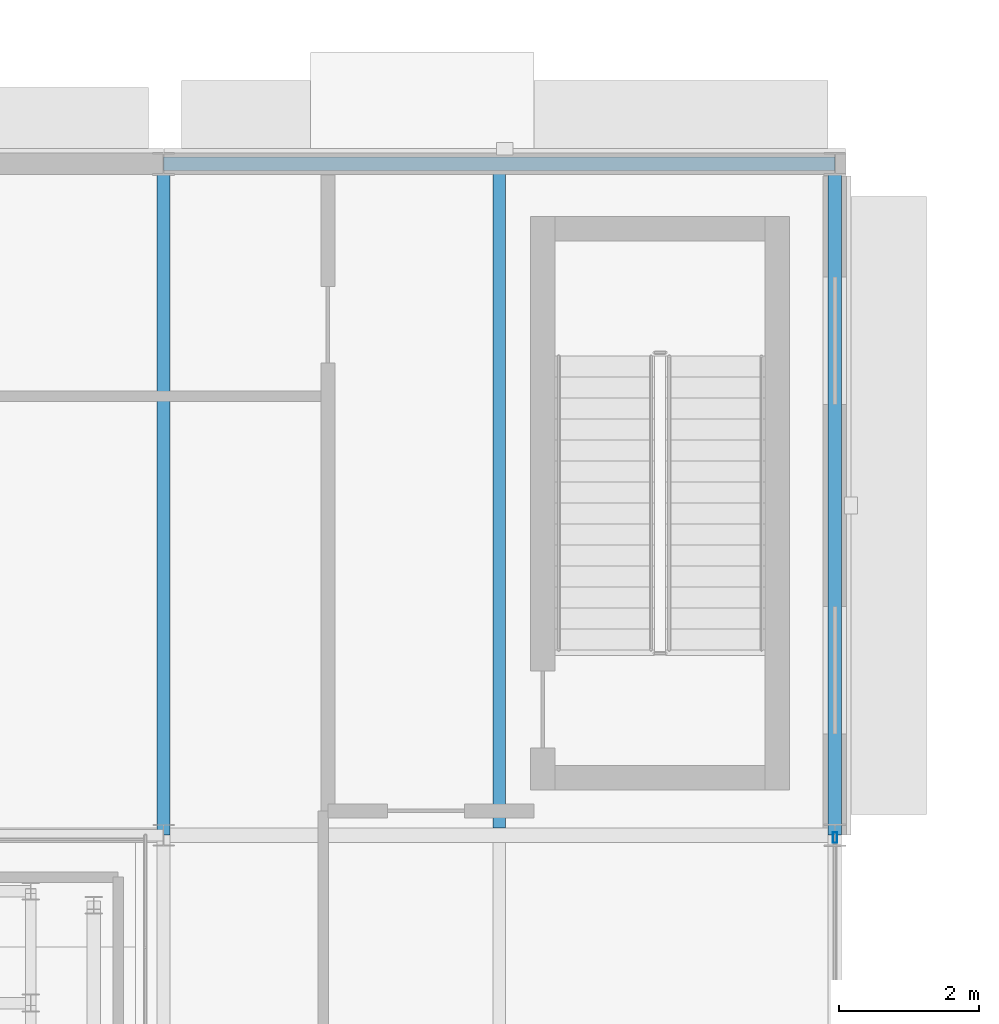
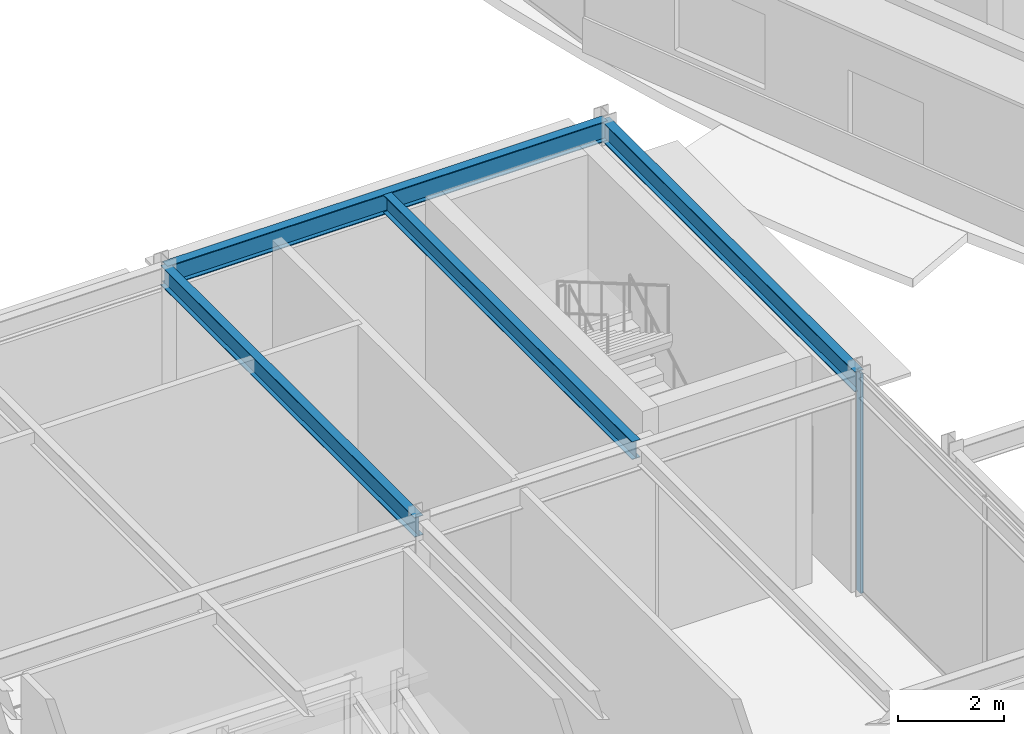
# One storey, part 24 of 168: 4 beams, 1 member, 1 element without a shape of its own.
"""IFC4 building model written with IfcOpenShell, lengths in metres."""

from ifc_helpers import new_model, si_unit, direction, frame, origin, origin_2d, place, context, subcontext, project, spatial, hollow_rectangle, i_section, extrude, material, material_profile, profile_set, type_object, element, aggregate, save


model = new_model("IFC4")

# Units and contexts
model_context = context("Model", 3, precision=1e-05, world=origin(), true_north=direction((0.0, 1.0)))
body_context = subcontext(model_context, "Body", "Model", "MODEL_VIEW")
ifc_project = project(units=[si_unit("LENGTHUNIT", "METRE"), si_unit("AREAUNIT", "SQUARE_METRE"), si_unit("VOLUMEUNIT", "CUBIC_METRE"), si_unit("PLANEANGLEUNIT", "RADIAN"), si_unit("MASSUNIT", "GRAM", prefix="KILO")], contexts=[model_context])

# Site, building, storey
site_placement = place(None, origin())
site = spatial("IfcSite", under=ifc_project, at=site_placement, CompositionType="ELEMENT")
building_placement = place(site_placement, origin())
building = spatial("IfcBuilding", under=site, at=building_placement, Name="Almandine Court Research Institute", CompositionType="ELEMENT")
storey_placement = place(building_placement, origin())
storey = spatial("IfcBuildingStorey", under=building, at=storey_placement, Name="L00", CompositionType="ELEMENT", Elevation=0.0)

# Beams
ifc_material_1 = material(Name="Steel ASTM A992 Grade 50", Category="steel")
ifc_material_profile_1 = material_profile(ifc_material_1, i_section(OverallWidth=0.18994140625, OverallDepth=0.45703125, WebThickness=0.009033203125, FlangeThickness=0.014892578125, at=origin_2d()), Name="W460x74")
ifc_profile_set_1 = profile_set([ifc_material_profile_1], Name="Steel ASTM A992 Grade 50")
beam_type_1 = type_object("IfcBeamType", Name="Beam-B-01", PredefinedType="BEAM", material=ifc_profile_set_1)
beam_1_placement = place(storey_placement, frame((25.199951171875, 25.199951171875, 4.841064453125), z_axis=(0.0, 1.0, 0.0), x_axis=(-1.0, 0.0, 0.0)))
element("IfcBeam", 1, at=beam_1_placement, inside=storey, type_object=beam_type_1, Name="L00 V1 Primary Y Girder", PredefinedType="BEAM", context=body_context, shape_type="SweptSolid", body=[
    extrude(i_section(OverallWidth=0.18994140625, OverallDepth=0.45703125, WebThickness=0.009033203125, FlangeThickness=0.014892578125, at=origin_2d()), origin(), (0.0, 0.0, 1.0), 9.60009765625),
])
ifc_material_profile_2 = material_profile(ifc_material_1, i_section(OverallWidth=0.178955078125, OverallDepth=0.409912109375, WebThickness=0.009033203125, FlangeThickness=0.013916015625, at=origin_2d()), Name="W410x67")
ifc_profile_set_2 = profile_set([ifc_material_profile_2], Name="Steel ASTM A992 Grade 50")
beam_type_2 = type_object("IfcBeamType", Name="Beam-B-02", PredefinedType="JOIST", material=ifc_profile_set_2)
beam_2_placement = place(storey_placement, frame((30.0, 25.302978515625, 4.864990234375), z_axis=(0.0, 1.0, 0.0), x_axis=(-1.0, 0.0, 0.0)))
element("IfcBeam", 2, at=beam_2_placement, inside=storey, type_object=beam_type_2, Name="L00 V1 Composite Secondary Beam", PredefinedType="JOIST", context=body_context, shape_type="SweptSolid", body=[
    extrude(i_section(OverallWidth=0.178955078125, OverallDepth=0.409912109375, WebThickness=0.009033203125, FlangeThickness=0.013916015625, at=origin_2d()), origin(), (0.0, 0.0, 1.0), 9.403076171875),
])
ifc_material_profile_3 = material_profile(ifc_material_1, i_section(OverallWidth=0.193115234375, OverallDepth=0.466064453125, WebThickness=0.010986328125, FlangeThickness=0.01904296875, at=origin_2d()), Name="W460x97")
ifc_profile_set_3 = profile_set([ifc_material_profile_3], Name="Steel ASTM A992 Grade 50")
beam_type_3 = type_object("IfcBeamType", Name="Beam-G-06-E", PredefinedType="SPANDREL", material=ifc_profile_set_3)
for number, where, z_axis, x_axis, name in (
    (3, (25.199951171875, 34.800048828125, 4.8369140625), (1.0, 0.0, 0.0), (0.0, 1.0, 0.0), "L00 V1 Primary X Girder"),
    (4, (34.800048828125, 25.199951171875, 4.8369140625), (0.0, 1.0, 0.0), (-1.0, 0.0, 0.0), "L00 V1 Primary Y Girder"),
):
    element("IfcBeam", number, at=place(storey_placement, frame(where, z_axis=z_axis, x_axis=x_axis)), inside=storey, type_object=beam_type_3, Name=name, PredefinedType="SPANDREL", context=body_context, shape_type="SweptSolid", body=[
        extrude(i_section(OverallWidth=0.193115234375, OverallDepth=0.466064453125, WebThickness=0.010986328125, FlangeThickness=0.01904296875, at=origin_2d()), origin(), (0.0, 0.0, 1.0), 9.60009765625),
    ])

# Curtain wall, member
ifc_material_2 = material(Name="Unitised Curtain Wall Framing and Solar Glazing", Category="glass")
curtain_wall_type = type_object("IfcCurtainWallType", Name="CW-CWG-01", PredefinedType="USERDEFINED", material=ifc_material_2)
curtain_wall_placement = place(storey_placement, origin())
curtain_wall = element("IfcCurtainWall", 5, at=curtain_wall_placement, inside=storey, type_object=curtain_wall_type, Name="L00 Lecture Foyer Courtyard Curtain Wall", ObjectType="UNITISED GLAZING", PredefinedType="USERDEFINED")
ifc_material_3 = material(Name="Anodised Aluminium AW-6063-T6", Category="aluminium")
ifc_material_profile_4 = material_profile(ifc_material_3, hollow_rectangle(XDim=0.06005859375, YDim=0.14990234375, WallThickness=0.00390625, at=origin_2d()), Name="ALU RHS 60x150x4")
ifc_profile_set_4 = profile_set([ifc_material_profile_4], Name="Anodised Aluminium AW-6063-T6")
member_type = type_object("IfcMemberType", Name="CWMul-60x150", PredefinedType="MULLION", material=ifc_profile_set_4)
member_placement = place(storey_placement, frame((34.800048828125, 25.166015625, 0.0), z_axis=(0.0, 0.0, 1.0), x_axis=(1.0, 0.0, 0.0)))
member = element("IfcMember", 6, at=member_placement, type_object=member_type, Name="CWG-01 mullion 1", PredefinedType="MULLION", context=body_context, shape_type="SweptSolid", body=[
    extrude(hollow_rectangle(XDim=0.06005859375, YDim=0.14990234375, WallThickness=0.00390625, at=origin_2d()), origin(), (0.0, 0.0, 1.0), 5.070068359375),
])
aggregate(curtain_wall, [member])

save(model, "model.ifc")
